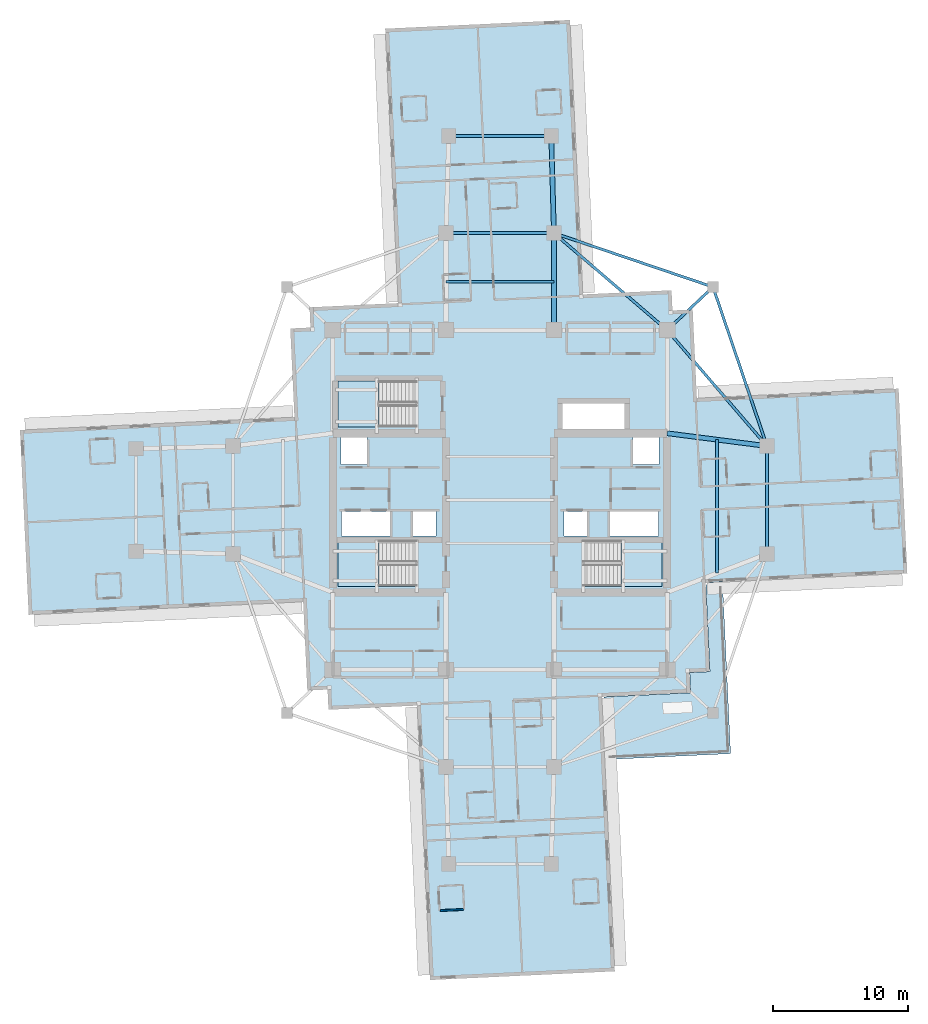
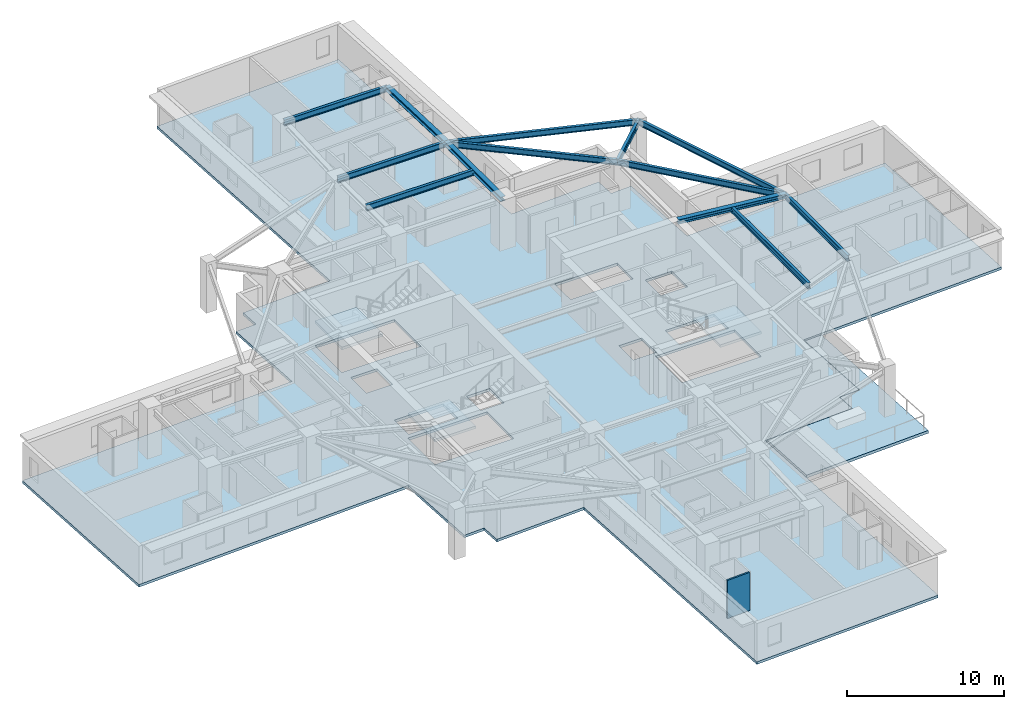
# One storey, part 2 of 14: 13 beams, 5 slabs, 1 wall, 3 elements without a shape of their own.
"""IFC4 building model written with IfcOpenShell, lengths in metres."""

from ifc_helpers import new_model, si_unit, direction, frame, frame_2d, origin, origin_2d, place, context, subcontext, project, spatial, polyline, rectangle, i_section, outline, extrude, material, layer, layer_set, material_profile, profile_set, type_object, element, aggregate, save


model = new_model("IFC4")

# Units and contexts
model_context = context("Model", 3, precision=1e-05, world=origin(), true_north=direction((0.0, 1.0)))
body_context = subcontext(model_context, "Body", "Model", "MODEL_VIEW")
ifc_project = project(units=[si_unit("LENGTHUNIT", "METRE"), si_unit("AREAUNIT", "SQUARE_METRE"), si_unit("VOLUMEUNIT", "CUBIC_METRE"), si_unit("PLANEANGLEUNIT", "RADIAN"), si_unit("MASSUNIT", "GRAM", prefix="KILO")], contexts=[model_context])

# Site, building, storey
site_placement = place(None, origin())
site = spatial("IfcSite", under=ifc_project, at=site_placement, CompositionType="ELEMENT")
building_placement = place(site_placement, origin())
building = spatial("IfcBuilding", under=site, at=building_placement, Name="Qingluan Cross Belvedere", CompositionType="ELEMENT")
storey_placement = place(building_placement, frame((0.0, 0.0, 116.39990234375)))
storey = spatial("IfcBuildingStorey", under=building, at=storey_placement, Name="L29", CompositionType="ELEMENT", Elevation=116.39990234375)

# Beams
ifc_material_1 = material(Name="Steel Q420GJB", Category="steel")
ifc_material_profile_1 = material_profile(ifc_material_1, i_section(OverallWidth=0.199951171875, OverallDepth=0.449951171875, WebThickness=0.009033203125, FlangeThickness=0.013916015625, FilletRadius=0.01611328125, at=origin_2d()), Name="HN450x200x9x14")
ifc_profile_set_1 = profile_set([ifc_material_profile_1], Name="Steel Q420GJB")
beam_type_1 = type_object("IfcBeamType", Name="Steel_Beam_HN450x200x9x14", PredefinedType="JOIST", material=ifc_profile_set_1)
beam_1_placement = place(storey_placement, frame((12.39990234375, 12.60009765625, 3.47509765625), z_axis=(0.728219948308, 0.685343495546, 0.0), x_axis=(-0.685343495546, 0.728219948308, 0.0)))
element("IfcBeam", 1, at=beam_1_placement, inside=storey, type_object=beam_type_1, Name="Corner beam 1 L29-RNE", PredefinedType="JOIST", context=body_context, shape_type="SweptSolid", body=[
    extrude(i_section(OverallWidth=0.199951171875, OverallDepth=0.449951171875, WebThickness=0.009033203125, FlangeThickness=0.013916015625, FilletRadius=0.01611328125, at=origin_2d()), origin(), (0.0, 0.0, 1.0), 4.669189453125),
])
for number, where, z_axis, x_axis, name in (
    (2, (15.800048828125, 15.800048828125, 3.47509765625), (-0.947066283324, 0.321038089628, 0.0), (-0.321038089628, -0.947066283324, 0.0), "Corner beam 2 L29-RNE"),
    (3, (15.800048828125, 15.800048828125, 3.47509765625), (0.321038089628, -0.947066283324, 0.0), (0.947066283324, 0.321038089628, 0.0), "Corner beam 3 L29-RNE"),
):
    element("IfcBeam", number, at=place(storey_placement, frame(where, z_axis=z_axis, x_axis=x_axis)), inside=storey, type_object=beam_type_1, Name=name, PredefinedType="JOIST", context=body_context, shape_type="SweptSolid", body=[
        extrude(i_section(OverallWidth=0.199951171875, OverallDepth=0.449951171875, WebThickness=0.009033203125, FlangeThickness=0.013916015625, FilletRadius=0.01611328125, at=origin_2d()), origin(), (0.0, 0.0, 1.0), 12.45947265625),
    ])
beam_2_placement = place(storey_placement, frame((12.39990234375, 12.60009765625, 3.47509765625), z_axis=(0.652245077546, -0.75800815221, 0.0), x_axis=(0.75800815221, 0.652245077546, 0.0)))
element("IfcBeam", 4, at=beam_2_placement, inside=storey, type_object=beam_type_1, Name="Corner beam 4 L29-RNE", PredefinedType="JOIST", context=body_context, shape_type="SweptSolid", body=[
    extrude(i_section(OverallWidth=0.199951171875, OverallDepth=0.449951171875, WebThickness=0.009033203125, FlangeThickness=0.013916015625, FilletRadius=0.01611328125, at=origin_2d()), origin(), (0.0, 0.0, 1.0), 11.345703125),
])
beam_3_placement = place(storey_placement, frame((12.39990234375, 12.60009765625, 3.47509765625), z_axis=(-0.759255044656, 0.650793190779, 0.0), x_axis=(-0.650793190779, -0.759255044656, 0.0)))
element("IfcBeam", 5, at=beam_3_placement, inside=storey, type_object=beam_type_1, Name="Corner beam 5 L29-RNE", PredefinedType="JOIST", context=body_context, shape_type="SweptSolid", body=[
    extrude(i_section(OverallWidth=0.199951171875, OverallDepth=0.449951171875, WebThickness=0.009033203125, FlangeThickness=0.013916015625, FilletRadius=0.01611328125, at=origin_2d()), origin(), (0.0, 0.0, 1.0), 11.063232421875),
])
beam_4_placement = place(storey_placement, frame((19.800048828125, -4.0, 3.47509765625), z_axis=(0.0, 1.0, 0.0), x_axis=(-1.0, 0.0, 0.0)))
element("IfcBeam", 6, at=beam_4_placement, inside=storey, type_object=beam_type_1, Name="Arm E tie L29", PredefinedType="JOIST", context=body_context, shape_type="SweptSolid", body=[
    extrude(i_section(OverallWidth=0.199951171875, OverallDepth=0.449951171875, WebThickness=0.009033203125, FlangeThickness=0.013916015625, FilletRadius=0.01611328125, at=origin_2d()), origin(), (0.0, 0.0, 1.0), 8.0),
])
beam_5_placement = place(storey_placement, frame((16.10009765625, -5.425048828125, 3.47509765625), z_axis=(0.0, 1.0, 0.0), x_axis=(-1.0, 0.0, 0.0)))
element("IfcBeam", 7, at=beam_5_placement, inside=storey, type_object=beam_type_1, Name="Arm E beam L29", PredefinedType="JOIST", context=body_context, shape_type="SweptSolid", body=[
    extrude(i_section(OverallWidth=0.199951171875, OverallDepth=0.449951171875, WebThickness=0.009033203125, FlangeThickness=0.013916015625, FilletRadius=0.01611328125, at=origin_2d()), origin(), (0.0, 0.0, 1.0), 9.900146484375),
])
for number, where, z_axis, x_axis, name in (
    (8, (-4.0, 19.800048828125, 3.47509765625), (1.0, 0.0, 0.0), (0.0, 1.0, 0.0), "Arm N tie L29"),
    (9, (-4.0, 16.199951171875, 3.47509765625), (1.0, 0.0, 0.0), (0.0, 1.0, 0.0), "Arm N beam L29"),
):
    element("IfcBeam", number, at=place(storey_placement, frame(where, z_axis=z_axis, x_axis=x_axis)), inside=storey, type_object=beam_type_1, Name=name, PredefinedType="JOIST", context=body_context, shape_type="SweptSolid", body=[
        extrude(i_section(OverallWidth=0.199951171875, OverallDepth=0.449951171875, WebThickness=0.009033203125, FlangeThickness=0.013916015625, FilletRadius=0.01611328125, at=origin_2d()), origin(), (0.0, 0.0, 1.0), 8.0),
    ])
beam_6_placement = place(storey_placement, frame((-3.800048828125, 27.0, 3.47509765625), z_axis=(1.0, 0.0, 0.0), x_axis=(0.0, 1.0, 0.0)))
element("IfcBeam", 10, at=beam_6_placement, inside=storey, type_object=beam_type_1, Name="Arm N tip transverse beam L29", PredefinedType="JOIST", context=body_context, shape_type="SweptSolid", body=[
    extrude(i_section(OverallWidth=0.199951171875, OverallDepth=0.449951171875, WebThickness=0.009033203125, FlangeThickness=0.013916015625, FilletRadius=0.01611328125, at=origin_2d()), origin(), (0.0, 0.0, 1.0), 7.60009765625),
])
ifc_material_2 = material(Name="Steel Q420GJB", Category="steel")
ifc_material_profile_2 = material_profile(ifc_material_2, i_section(OverallWidth=0.35009765625, OverallDepth=0.35009765625, WebThickness=0.011962890625, FlangeThickness=0.01904296875, FilletRadius=0.02001953125, at=origin_2d()), Name="HW350x350x12x19")
ifc_profile_set_2 = profile_set([ifc_material_profile_2], Name="Steel Q420GJB")
beam_type_2 = type_object("IfcBeamType", Name="Steel_Girder_HW350x350x12x19", PredefinedType="USERDEFINED", material=ifc_profile_set_2)
beam_7_placement = place(storey_placement, frame((12.39990234375, 4.949951171875, 3.525146484375), z_axis=(0.991861120628, -0.12732445714, 0.0), x_axis=(0.12732445714, 0.991861120628, 0.0)))
element("IfcBeam", 11, at=beam_7_placement, inside=storey, type_object=beam_type_2, Name="Arm E radial girder B L29", ObjectType="GIRDER", PredefinedType="USERDEFINED", context=body_context, shape_type="SweptSolid", body=[
    extrude(i_section(OverallWidth=0.35009765625, OverallDepth=0.35009765625, WebThickness=0.011962890625, FlangeThickness=0.01904296875, FilletRadius=0.02001953125, at=origin_2d()), origin(), (0.0, 0.0, 1.0), 7.4609375),
])
beam_8_placement = place(storey_placement, frame((4.0, 12.60009765625, 3.525146484375), z_axis=(0.0, 1.0, 0.0), x_axis=(-1.0, 0.0, 0.0)))
element("IfcBeam", 12, at=beam_8_placement, inside=storey, type_object=beam_type_2, Name="Arm N radial girder B L29", ObjectType="GIRDER", PredefinedType="USERDEFINED", context=body_context, shape_type="SweptSolid", body=[
    extrude(i_section(OverallWidth=0.35009765625, OverallDepth=0.35009765625, WebThickness=0.011962890625, FlangeThickness=0.01904296875, FilletRadius=0.02001953125, at=origin_2d()), origin(), (0.0, 0.0, 1.0), 7.199951171875),
])
beam_9_placement = place(storey_placement, frame((4.0, 19.800048828125, 3.525146484375), z_axis=(-0.027760481514, 0.999614603568, 0.0), x_axis=(-0.999614603568, -0.027760481514, 0.0)))
element("IfcBeam", 13, at=beam_9_placement, inside=storey, type_object=beam_type_2, Name="Arm N outer radial girder B L29", ObjectType="GIRDER", PredefinedType="USERDEFINED", context=body_context, shape_type="SweptSolid", body=[
    extrude(i_section(OverallWidth=0.35009765625, OverallDepth=0.35009765625, WebThickness=0.011962890625, FlangeThickness=0.01904296875, FilletRadius=0.02001953125, at=origin_2d()), origin(), (0.0, 0.0, 1.0), 7.20263671875),
])

# Slab
ifc_material_3 = material(Name="Concrete C40", Category="concrete")
ifc_layer_1 = layer(ifc_material_3, 0.199951171875, Name="FloorSlab_200")
ifc_layer_set_1 = layer_set([ifc_layer_1], Name="Concrete C40")
slab_type_1 = type_object("IfcSlabType", Name="FloorSlab_200", PredefinedType="FLOOR", material=ifc_layer_set_1)
slab_1_placement = place(storey_placement, frame((0.0, 0.0, -0.199951171875)))
element("IfcSlab", 14, at=slab_1_placement, inside=storey, type_object=slab_type_1, Name="Structural floor slab L29", PredefinedType="FLOOR", context=body_context, shape_type="SweptSolid", body=[
    extrude(outline(polyline([(8.51611328125, -34.95751953125), (7.55615234375, -14.600341796875), (14.12890625, -14.290283203125), (14.05810546875, -12.7919921875), (15.556396484375, -12.72119140625), (15.24658203125, -6.148681640625), (30.2099609375, -5.443115234375), (29.563720703125, 8.26171875), (14.600341796875, 7.55615234375), (14.290283203125, 14.12890625), (12.7919921875, 14.05810546875), (12.72119140625, 15.556396484375), (6.148681640625, 15.24658203125), (5.188720703125, 35.60400390625), (-8.51611328125, 34.95751953125), (-7.55615234375, 14.600341796875), (-14.12890625, 14.290283203125), (-14.05810546875, 12.7919921875), (-15.556396484375, 12.72119140625), (-15.24658203125, 6.148681640625), (-35.60400390625, 5.188720703125), (-34.95751953125, -8.51611328125), (-14.600341796875, -7.55615234375), (-14.290283203125, -14.12890625), (-12.7919921875, -14.05810546875), (-12.72119140625, -15.556396484375), (-6.148681640625, -15.24658203125), (-5.188720703125, -35.60400390625), (8.51611328125, -34.95751953125)]), holes=[polyline([(-12.0, -3.0), (-6.179931640625, -3.0), (-6.179931640625, -6.39990234375), (-12.0, -6.39990234375), (-12.0, -3.0)]), polyline([(6.179931640625, -3.0), (12.0, -3.0), (12.0, -6.39990234375), (6.179931640625, -6.39990234375), (6.179931640625, -3.0)]), polyline([(-12.0, 8.820068359375), (-6.179931640625, 8.820068359375), (-6.179931640625, 5.419921875), (-12.0, 5.419921875), (-12.0, 8.820068359375)]), polyline([(-11.800048828125, 4.64990234375), (-9.85009765625, 4.64990234375), (-9.85009765625, 2.64990234375), (-11.800048828125, 2.64990234375), (-11.800048828125, 4.64990234375)]), polyline([(9.85009765625, 4.64990234375), (11.800048828125, 4.64990234375), (11.800048828125, 2.64990234375), (9.85009765625, 2.64990234375), (9.85009765625, 4.64990234375)]), polyline([(-11.75, -0.840087890625), (-8.14990234375, -0.840087890625), (-8.14990234375, -2.659912109375), (-11.75, -2.659912109375), (-11.75, -0.840087890625)]), polyline([(-6.449951171875, -0.840087890625), (-4.75, -0.840087890625), (-4.75, -2.659912109375), (-6.449951171875, -2.659912109375), (-6.449951171875, -0.840087890625)]), polyline([(4.75, -0.840087890625), (6.449951171875, -0.840087890625), (6.449951171875, -2.659912109375), (4.75, -2.659912109375), (4.75, -0.840087890625)]), polyline([(8.14990234375, -0.840087890625), (11.75, -0.840087890625), (11.75, -2.659912109375), (8.14990234375, -2.659912109375), (8.14990234375, -0.840087890625)]), polyline([(4.64990234375, 7.14990234375), (9.25, 7.14990234375), (9.25, 5.14990234375), (4.64990234375, 5.14990234375), (4.64990234375, 7.14990234375)])]), origin(), (0.0, 0.0, 1.0), 0.199951171875),
])

# Stair, slab
ifc_material_4 = material(Name="Concrete C40", Category="concrete")
stair_type = type_object("IfcStairType", Name="CoreDoglegStair_1620", PredefinedType="HALF_TURN_STAIR", material=ifc_material_4)
stair_1_placement = place(storey_placement, origin())
stair_1 = element("IfcStair", 15, at=stair_1_placement, inside=storey, type_object=stair_type, Name="L29 ST1", PredefinedType="HALF_TURN_STAIR")
ifc_material_5 = material(Name="Concrete C40", Category="concrete")
ifc_layer_2 = layer(ifc_material_5, 0.179931640625, Name="StairLandingSlab_180")
ifc_layer_set_2 = layer_set([ifc_layer_2], Name="Concrete C40")
slab_type_2 = type_object("IfcSlabType", Name="StairLandingSlab_180", PredefinedType="LANDING", material=ifc_layer_set_2)
slab_2_placement = place(storey_placement, frame((0.0, 0.0, 1.75)))
slab_2 = element("IfcSlab", 16, at=slab_2_placement, type_object=slab_type_2, Name="ST1 landing 1", PredefinedType="LANDING", context=body_context, shape_type="SweptSolid", body=[
    extrude(outline(polyline([(-8.97998046875, -3.0), (-12.0, -3.0), (-12.0, -6.39990234375), (-8.97998046875, -6.39990234375), (-8.97998046875, -3.0)])), origin(), (0.0, 0.0, 1.0), 0.2001953125),
])
aggregate(stair_1, [slab_2])

stair_2_placement = place(storey_placement, origin())
stair_2 = element("IfcStair", 17, at=stair_2_placement, inside=storey, type_object=stair_type, Name="L29 ST2", PredefinedType="HALF_TURN_STAIR")
slab_3_placement = place(storey_placement, frame((0.0, 0.0, 1.75)))
slab_3 = element("IfcSlab", 18, at=slab_3_placement, type_object=slab_type_2, Name="ST2 landing 1", PredefinedType="LANDING", context=body_context, shape_type="SweptSolid", body=[
    extrude(outline(polyline([(8.97998046875, -6.39990234375), (12.0, -6.39990234375), (12.0, -3.0), (8.97998046875, -3.0), (8.97998046875, -6.39990234375)])), origin(), (0.0, 0.0, 1.0), 0.2001953125),
])
aggregate(stair_2, [slab_3])

stair_3_placement = place(storey_placement, origin())
stair_3 = element("IfcStair", 19, at=stair_3_placement, inside=storey, type_object=stair_type, Name="L29 ST3", PredefinedType="HALF_TURN_STAIR")
slab_4_placement = place(storey_placement, frame((0.0, 0.0, 1.75)))
slab_4 = element("IfcSlab", 20, at=slab_4_placement, type_object=slab_type_2, Name="ST3 landing 1", PredefinedType="LANDING", context=body_context, shape_type="SweptSolid", body=[
    extrude(outline(polyline([(-8.97998046875, 8.820068359375), (-12.0, 8.820068359375), (-12.0, 5.419921875), (-8.97998046875, 5.419921875), (-8.97998046875, 8.820068359375)])), origin(), (0.0, 0.0, 1.0), 0.2001953125),
])
aggregate(stair_3, [slab_4])

# Slab
ifc_material_6 = material(Name="Concrete C40", Category="concrete")
ifc_layer_3 = layer(ifc_material_6, 0.219970703125, Name="TerraceSlab_220")
ifc_layer_set_3 = layer_set([ifc_layer_3], Name="Concrete C40")
slab_type_3 = type_object("IfcSlabType", Name="TerraceSlab_220", PredefinedType="FLOOR", material=ifc_layer_set_3)
slab_5_placement = place(storey_placement, frame((0.0, 0.0, -0.219970703125)))
element("IfcSlab", 21, at=slab_5_placement, inside=storey, type_object=slab_type_3, Name="Spiralling winter-garden terrace slab L29", PredefinedType="FLOOR", context=body_context, shape_type="SweptSolid", body=[
    extrude(outline(polyline([(15.26318359375, -6.2880859375), (15.565185546875, -12.7265625), (14.068603515625, -12.801513671875), (14.138916015625, -14.289794921875), (14.13134765625, -14.300048828125), (7.696533203125, -14.603759765625), (7.91552734375, -19.24853515625), (17.105224609375, -18.815185546875), (16.51171875, -6.22900390625), (15.26318359375, -6.2880859375)])), origin(), (0.0, 0.0, 1.0), 0.219970703125),
])

# Wall
ifc_material_7 = material(Name="Moisture-resistant gypsum board lining")
ifc_layer_4 = layer(ifc_material_7, 0.1201171875, Name="EnsuiteWetPartition_120")
ifc_layer_set_4 = layer_set([ifc_layer_4], Name="Moisture-resistant gypsum board lining")
wall_type = type_object("IfcWallType", Name="EnsuiteWetPartition_120", PredefinedType="PARTITIONING", material=ifc_layer_set_4)
wall_placement = place(storey_placement, frame((-4.42041015625, -30.451904296875, 0.0), z_axis=(0.0, 0.0, 1.0), x_axis=(0.998896551812, 0.046964654557, 0.0)))
element("IfcWall", 22, at=wall_placement, inside=storey, type_object=wall_type, Name="Partition L29:Scap:b1n", PredefinedType="PARTITIONING", context=body_context, shape_type="SweptSolid", body=[
    extrude(rectangle(XDim=1.699951171875, YDim=0.1201171875, at=frame_2d((0.85009765625, 0.0))), origin(), (0.0, 0.0, 1.0), 2.960205078125),
])

save(model, "model.ifc")
